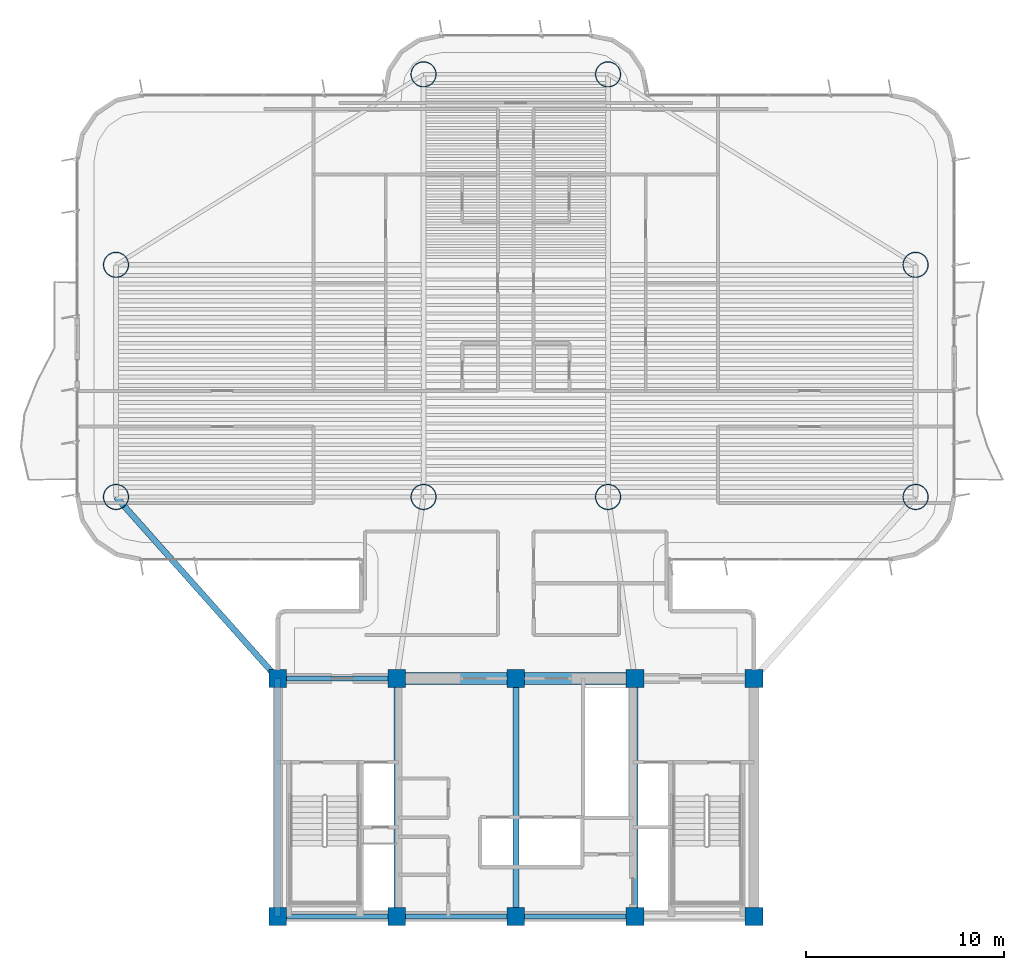
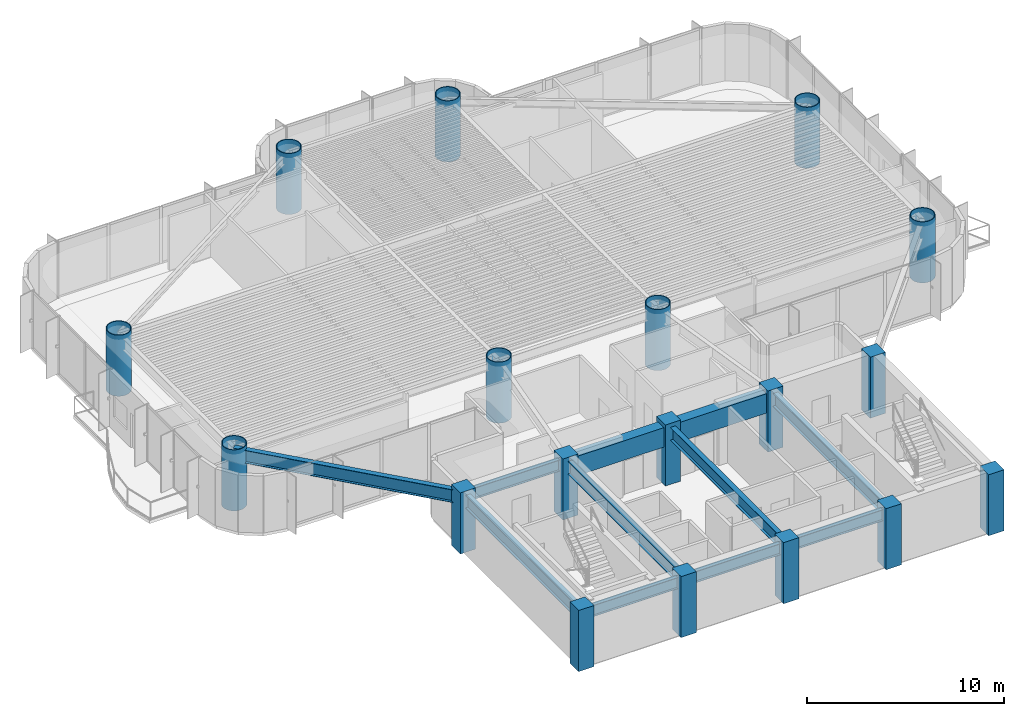
# One storey, part 1 of 16: 18 columns, 10 beams.
"""IFC4 building model written with IfcOpenShell, lengths in metres."""

from ifc_helpers import new_model, si_unit, direction, frame, origin, origin_2d, place, context, subcontext, project, spatial, rectangle, hollow_circle, i_section, extrude, source, transform, mapped, material, material_profile, profile_set, type_object, element, save


model = new_model("IFC4")

# Units and contexts
model_context = context("Model", 3, precision=1e-05, world=origin(), true_north=direction((0.0, 1.0)))
body_context = subcontext(model_context, "Body", "Model", "MODEL_VIEW")
ifc_project = project(units=[si_unit("LENGTHUNIT", "METRE"), si_unit("AREAUNIT", "SQUARE_METRE"), si_unit("VOLUMEUNIT", "CUBIC_METRE"), si_unit("PLANEANGLEUNIT", "RADIAN"), si_unit("MASSUNIT", "GRAM", prefix="KILO")], contexts=[model_context])

# Site, building, storey
site_placement = place(None, origin())
site = spatial("IfcSite", under=ifc_project, at=site_placement, CompositionType="ELEMENT")
building_placement = place(site_placement, origin())
building = spatial("IfcBuilding", under=site, at=building_placement, Name="Brelvock Crest Care Tower", CompositionType="ELEMENT")
storey_placement = place(building_placement, frame((0.0, 0.0, 138.9599609375)))
storey = spatial("IfcBuildingStorey", under=building, at=storey_placement, Name="L35", CompositionType="ELEMENT", Elevation=138.9599609375)

# Columns
ifc_material_1 = material(Name="Concrete S80 (80 MPa)", Category="concrete")
ifc_material_profile_1 = material_profile(ifc_material_1, rectangle(XDim=0.89990234375, YDim=0.89990234375, at=origin_2d()), Name="RC900x900")
ifc_profile_set_1 = profile_set([ifc_material_profile_1], Name="Concrete S80 (80 MPa)")
column_type_1 = type_object("IfcColumnType", Name="COL-RC2", PredefinedType="COLUMN", material=ifc_profile_set_1)
shared_shape_1 = source(origin(), body_context, "Body", "SweptSolid", [
    extrude(rectangle(XDim=0.89990234375, YDim=0.89990234375, at=origin_2d()), origin(), (0.0, 0.0, 1.0), 3.780029296875),
])
for number, where, z_axis, x_axis, name in (
    (1, (24.0, 6.0, 0.0), (0.0, 0.0, 1.0), (1.0, 0.0, 0.0), "L35 Core Column CC-01"),
    (2, (30.0, 6.0, 0.0), (0.0, 0.0, 1.0), (1.0, 0.0, 0.0), "L35 Core Column CC-02"),
    (3, (36.0, 6.0, 0.0), (0.0, 0.0, 1.0), (1.0, 0.0, 0.0), "L35 Core Column CC-03"),
    (4, (42.0, 6.0, 0.0), (0.0, 0.0, 1.0), (1.0, 0.0, 0.0), "L35 Core Column CC-04"),
    (5, (48.0, 6.0, 0.0), (0.0, 0.0, 1.0), (1.0, 0.0, 0.0), "L35 Core Column CC-05"),
    (6, (24.0, 18.0, 0.0), (0.0, 0.0, 1.0), (1.0, 0.0, 0.0), "L35 Core Column CC-06"),
    (7, (30.0, 18.0, 0.0), (0.0, 0.0, 1.0), (1.0, 0.0, 0.0), "L35 Core Column CC-07"),
    (8, (36.0, 18.0, 0.0), (0.0, 0.0, 1.0), (1.0, 0.0, 0.0), "L35 Core Column CC-08"),
    (9, (42.0, 18.0, 0.0), (0.0, 0.0, 1.0), (1.0, 0.0, 0.0), "L35 Core Column CC-09"),
    (10, (48.0, 18.0, 0.0), (0.0, 0.0, 1.0), (1.0, 0.0, 0.0), "L35 Core Column CC-10"),
):
    element("IfcColumn", number, at=place(storey_placement, frame(where, z_axis=z_axis, x_axis=x_axis)), inside=storey, type_object=column_type_1, Name=name, PredefinedType="COLUMN", context=body_context, shape_type="MappedRepresentation", body=[
        mapped(shared_shape_1, transform((0.0, 0.0, 0.0), x_axis=(1.0, 0.0, 0.0), y_axis=(0.0, 1.0, 0.0), z_axis=(0.0, 0.0, 1.0), scale=1.0)),
    ])
ifc_material_2 = material(Name="Steel Grade 350", Category="steel")
ifc_material_profile_2 = material_profile(ifc_material_2, hollow_circle(Radius=0.64990234375, WallThickness=0.044921875, at=origin_2d()), Name="CFT1300x45")
ifc_profile_set_2 = profile_set([ifc_material_profile_2], Name="Steel Grade 350")
column_type_2 = type_object("IfcColumnType", Name="COL-MC2", PredefinedType="COLUMN", material=ifc_profile_set_2)
shared_shape_2 = source(origin(), body_context, "Body", "SweptSolid", [
    extrude(hollow_circle(Radius=0.64990234375, WallThickness=0.044921875, at=origin_2d()), origin(), (0.0, 0.0, 1.0), 3.780029296875),
])
for number, where, z_axis, x_axis, name in (
    (11, (15.85009765625, 27.14990234375, 0.0), (0.0, 0.0, 1.0), (1.0, 0.0, 0.0), "L35 Tower Column M1"),
    (12, (15.85009765625, 38.85009765625, 0.0), (0.0, 0.0, 1.0), (1.0, 0.0, 0.0), "L35 Tower Column M2"),
    (13, (56.14990234375, 27.14990234375, 0.0), (0.0, 0.0, 1.0), (1.0, 0.0, 0.0), "L35 Tower Column M3"),
    (14, (56.14990234375, 38.85009765625, 0.0), (0.0, 0.0, 1.0), (1.0, 0.0, 0.0), "L35 Tower Column M4"),
    (15, (31.35009765625, 27.14990234375, 0.0), (0.0, 0.0, 1.0), (1.0, 0.0, 0.0), "L35 Tower Column M5"),
    (16, (40.64990234375, 27.14990234375, 0.0), (0.0, 0.0, 1.0), (1.0, 0.0, 0.0), "L35 Tower Column M6"),
    (17, (31.35009765625, 48.449951171875, 0.0), (0.0, 0.0, 1.0), (1.0, 0.0, 0.0), "L35 Tower Column M7"),
    (18, (40.64990234375, 48.449951171875, 0.0), (0.0, 0.0, 1.0), (1.0, 0.0, 0.0), "L35 Tower Column M8"),
):
    element("IfcColumn", number, at=place(storey_placement, frame(where, z_axis=z_axis, x_axis=x_axis)), inside=storey, type_object=column_type_2, Name=name, PredefinedType="COLUMN", context=body_context, shape_type="MappedRepresentation", body=[
        mapped(shared_shape_2, transform((0.0, 0.0, 0.0), x_axis=(1.0, 0.0, 0.0), y_axis=(0.0, 1.0, 0.0), z_axis=(0.0, 0.0, 1.0), scale=1.0)),
    ])

# Beams
ifc_material_profile_3 = material_profile(ifc_material_1, rectangle(XDim=0.60009765625, YDim=1.199951171875, at=origin_2d()), Name="RC600x1200")
ifc_profile_set_3 = profile_set([ifc_material_profile_3], Name="Concrete S80 (80 MPa)")
beam_type_1 = type_object("IfcBeamType", Name="BM-LN1", PredefinedType="LINTEL", material=ifc_profile_set_3)
shared_shape_3 = source(origin(), body_context, "Body", "SweptSolid", [
    extrude(rectangle(XDim=0.60009765625, YDim=1.199951171875, at=origin_2d()), origin(), (0.0, 0.0, 1.0), 12.0),
])
beam_1_placement = place(storey_placement, frame((30.0, 18.0, 2.929931640625), z_axis=(1.0, 0.0, 0.0), x_axis=(0.0, 1.0, 0.0)))
element("IfcBeam", 19, at=beam_1_placement, inside=storey, type_object=beam_type_1, Name="L35 Core Coupling Lintel Beam", PredefinedType="LINTEL", context=body_context, shape_type="MappedRepresentation", body=[
    mapped(shared_shape_3, transform((0.0, 0.0, 0.0), x_axis=(1.0, 0.0, 0.0), y_axis=(0.0, 1.0, 0.0), z_axis=(0.0, 0.0, 1.0), scale=1.0)),
])
ifc_material_profile_4 = material_profile(ifc_material_2, i_section(OverallWidth=0.25, OverallDepth=0.699951171875, WebThickness=0.011962890625, FlangeThickness=0.02001953125, at=origin_2d()), Name="700WB150")
ifc_profile_set_4 = profile_set([ifc_material_profile_4], Name="Steel Grade 350")
beam_type_2 = type_object("IfcBeamType", Name="BM-G4", PredefinedType="BEAM", material=ifc_profile_set_4)
shared_shape_4 = source(origin(), body_context, "Body", "SweptSolid", [
    extrude(i_section(OverallWidth=0.25, OverallDepth=0.699951171875, WebThickness=0.011962890625, FlangeThickness=0.02001953125, at=origin_2d()), origin(), (0.0, 0.0, 1.0), 6.0),
])
for number, where, z_axis, x_axis, name in (
    (20, (24.0, 6.0, 3.179931640625), (1.0, 0.0, 0.0), (0.0, 1.0, 0.0), "BM-CORES-L35-1"),
    (21, (24.0, 18.0, 3.179931640625), (1.0, 0.0, 0.0), (0.0, 1.0, 0.0), "BM-COREN-L35-1"),
    (22, (30.0, 6.0, 3.179931640625), (1.0, 0.0, 0.0), (0.0, 1.0, 0.0), "BM-CORES-L35-2"),
    (23, (36.0, 6.0, 3.179931640625), (1.0, 0.0, 0.0), (0.0, 1.0, 0.0), "BM-CORES-L35-3"),
):
    element("IfcBeam", number, at=place(storey_placement, frame(where, z_axis=z_axis, x_axis=x_axis)), inside=storey, type_object=beam_type_2, Name=name, PredefinedType="BEAM", context=body_context, shape_type="MappedRepresentation", body=[
        mapped(shared_shape_4, transform((0.0, 0.0, 0.0), x_axis=(1.0, 0.0, 0.0), y_axis=(0.0, 1.0, 0.0), z_axis=(0.0, 0.0, 1.0), scale=1.0)),
    ])
ifc_material_profile_5 = material_profile(ifc_material_2, i_section(OverallWidth=0.300048828125, OverallDepth=0.800048828125, WebThickness=0.013916015625, FlangeThickness=0.02197265625, at=origin_2d()), Name="800WB192")
ifc_profile_set_5 = profile_set([ifc_material_profile_5], Name="Steel Grade 350")
beam_type_3 = type_object("IfcBeamType", Name="BM-G5", PredefinedType="BEAM", material=ifc_profile_set_5)
shared_shape_5 = source(origin(), body_context, "Body", "SweptSolid", [
    extrude(i_section(OverallWidth=0.300048828125, OverallDepth=0.800048828125, WebThickness=0.013916015625, FlangeThickness=0.02197265625, at=origin_2d()), origin(), (0.0, 0.0, 1.0), 12.0),
])
for number, where, z_axis, x_axis, name in (
    (24, (24.0, 6.0, 3.130126953125), (0.0, 1.0, 0.0), (-1.0, 0.0, 0.0), "BM-COREX-L35-1"),
    (25, (30.0, 6.0, 3.130126953125), (0.0, 1.0, 0.0), (-1.0, 0.0, 0.0), "BM-COREX-L35-2"),
    (26, (36.0, 6.0, 3.130126953125), (0.0, 1.0, 0.0), (-1.0, 0.0, 0.0), "BM-COREX-L35-3"),
    (27, (42.0, 6.0, 3.130126953125), (0.0, 1.0, 0.0), (-1.0, 0.0, 0.0), "BM-COREX-L35-4"),
):
    element("IfcBeam", number, at=place(storey_placement, frame(where, z_axis=z_axis, x_axis=x_axis)), inside=storey, type_object=beam_type_3, Name=name, PredefinedType="BEAM", context=body_context, shape_type="MappedRepresentation", body=[
        mapped(shared_shape_5, transform((0.0, 0.0, 0.0), x_axis=(1.0, 0.0, 0.0), y_axis=(0.0, 1.0, 0.0), z_axis=(0.0, 0.0, 1.0), scale=1.0)),
    ])
shared_shape_6 = source(origin(), body_context, "Body", "SweptSolid", [
    extrude(i_section(OverallWidth=0.300048828125, OverallDepth=0.800048828125, WebThickness=0.013916015625, FlangeThickness=0.02197265625, at=origin_2d()), origin(), (0.0, 0.0, 1.0), 12.253173828125),
])
beam_2_placement = place(storey_placement, frame((24.0, 18.0, 3.130126953125), z_axis=(-0.665122829149, 0.746733970129, 0.0), x_axis=(-0.746733970129, -0.665122829149, 0.0)))
element("IfcBeam", 28, at=beam_2_placement, inside=storey, type_object=beam_type_3, Name="BM-THRO-W-L35", PredefinedType="BEAM", context=body_context, shape_type="MappedRepresentation", body=[
    mapped(shared_shape_6, transform((0.0, 0.0, 0.0), x_axis=(1.0, 0.0, 0.0), y_axis=(0.0, 1.0, 0.0), z_axis=(0.0, 0.0, 1.0), scale=1.0)),
])

save(model, "model.ifc")
